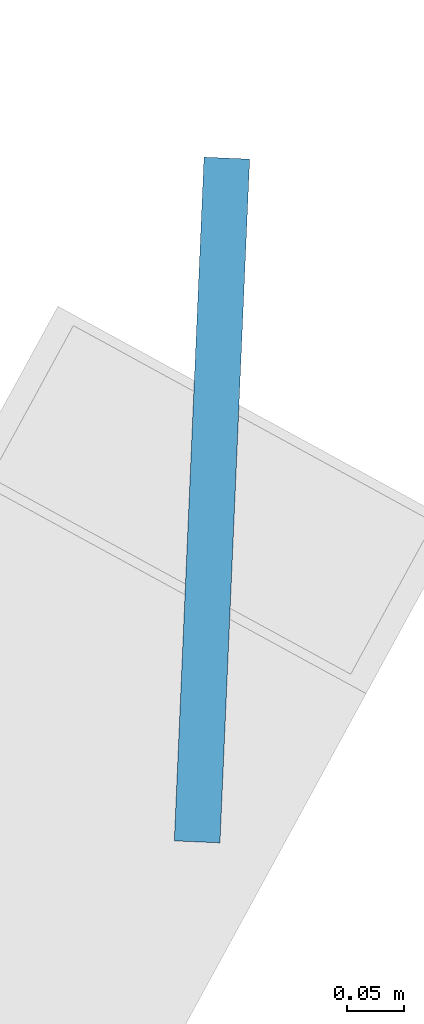
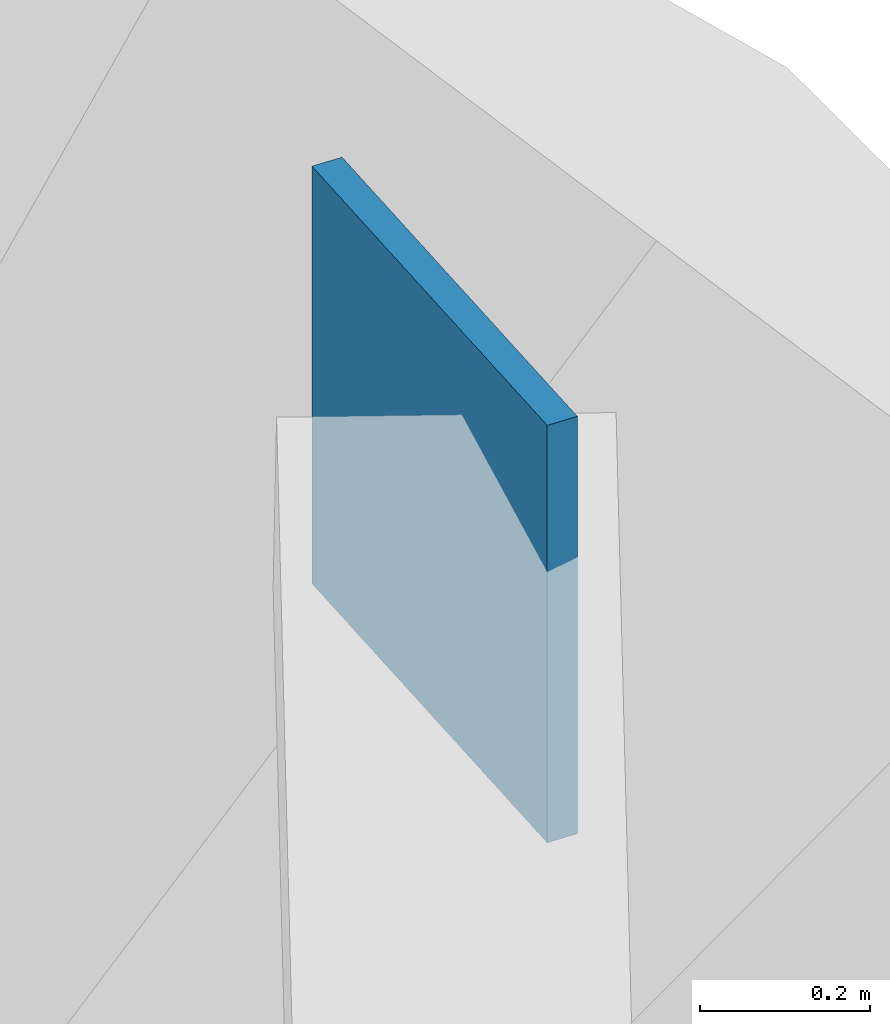
# One storey, part 7 of 12: 1 plate.
"""IFC4 building model written with IfcOpenShell, lengths in metres."""

from ifc_helpers import new_model, si_unit, direction, frame, origin, origin_2d, place, context, subcontext, project, spatial, rectangle, extrude, source, transform, mapped, material, layer, layer_set, type_object, element, save


model = new_model("IFC4")

# Units and contexts
model_context = context("Model", 3, precision=1e-05, world=origin(), true_north=direction((0.0, 1.0)))
body_context = subcontext(model_context, "Body", "Model", "MODEL_VIEW")
ifc_project = project(units=[si_unit("LENGTHUNIT", "METRE"), si_unit("AREAUNIT", "SQUARE_METRE"), si_unit("VOLUMEUNIT", "CUBIC_METRE"), si_unit("PLANEANGLEUNIT", "RADIAN"), si_unit("MASSUNIT", "GRAM", prefix="KILO")], contexts=[model_context])

# Site, building, storey
site_placement = place(None, origin())
site = spatial("IfcSite", under=ifc_project, at=site_placement, CompositionType="ELEMENT")
building_placement = place(site_placement, origin())
building = spatial("IfcBuilding", under=site, at=building_placement, Name="Vardaveli Station Tower", CompositionType="ELEMENT")
storey_placement = place(building_placement, frame((0.0, 0.0, 93.300048828125)))
storey = spatial("IfcBuildingStorey", under=building, at=storey_placement, Name="L24", CompositionType="ELEMENT", Elevation=93.300048828125)

# Plate
ifc_material = material(Name="Structural steel S460M", Category="steel")
ifc_layer = layer(ifc_material, 0.0400390625, Name="Structural steel S460M")
ifc_layer_set = layer_set([ifc_layer], Name="Structural steel S460M")
plate_type = type_object("IfcPlateType", Name="PLT-CAP-40", PredefinedType="USERDEFINED", material=ifc_layer_set)
shared_shape = source(origin(), body_context, "Body", "SweptSolid", [
    extrude(rectangle(XDim=0.60009765625, YDim=0.0400390625, at=origin_2d()), origin(), (0.0, 0.0, 1.0), 0.60009765625),
])
plate_placement = place(storey_placement, frame((51.91845703125, 36.5400390625, 4.099853515625), z_axis=(0.0, 0.0, 1.0), x_axis=(0.043445019893, 0.999055819385, 0.0)))
element("IfcPlate", 1, at=plate_placement, inside=storey, type_object=plate_type, Name="PLT-L24-BLTBT-08", ObjectType="GUSSET PLATE", PredefinedType="USERDEFINED", context=body_context, shape_type="MappedRepresentation", body=[
    mapped(shared_shape, transform((0.0, 0.0, 0.0), scale=1.0)),
])

save(model, "model.ifc")
